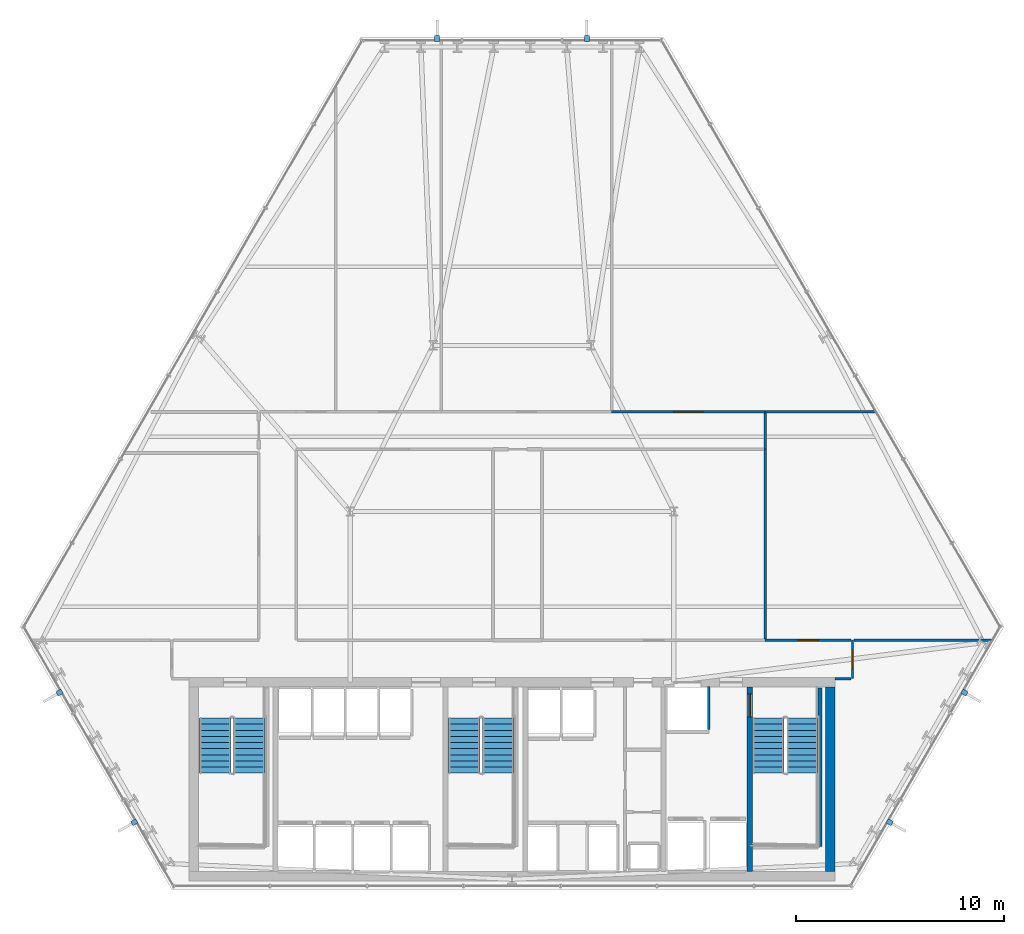
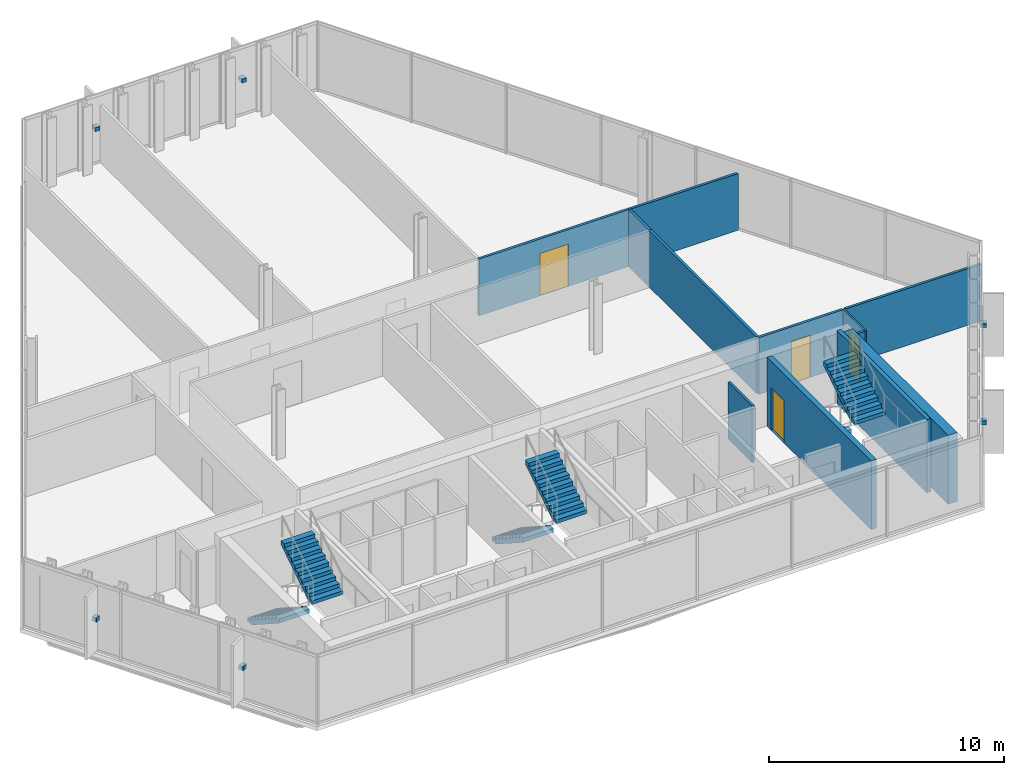
# One storey, part 29 of 33: 12 walls, 6 discrete accessories, 6 stair flights, 4 doors, 4 openings, 3 elements without a shape of their own.
"""IFC4 building model written with IfcOpenShell, lengths in metres."""

from ifc_helpers import new_model, si_unit, direction, frame, frame_2d, origin, origin_2d, place, context, subcontext, project, spatial, polyline, rectangle, outline, extrude, material, layer, layer_set, type_object, element, fill, aggregate, save


model = new_model("IFC4")

# Units and contexts
model_context = context("Model", 3, precision=1e-05, world=origin(), true_north=direction((0.0, 1.0)))
body_context = subcontext(model_context, "Body", "Model", "MODEL_VIEW")
ifc_project = project(units=[si_unit("LENGTHUNIT", "METRE"), si_unit("AREAUNIT", "SQUARE_METRE"), si_unit("VOLUMEUNIT", "CUBIC_METRE"), si_unit("PLANEANGLEUNIT", "RADIAN"), si_unit("MASSUNIT", "GRAM", prefix="KILO")], contexts=[model_context])

# Site, building, storey
site_placement = place(None, origin())
site = spatial("IfcSite", under=ifc_project, at=site_placement, CompositionType="ELEMENT")
building_placement = place(site_placement, origin())
building = spatial("IfcBuilding", under=site, at=building_placement, Name="Ndaravel Arena Tower", CompositionType="ELEMENT")
storey_placement = place(building_placement, frame((0.0, 0.0, 85.39990234375)))
storey = spatial("IfcBuildingStorey", under=building, at=storey_placement, Name="L19", CompositionType="ELEMENT", Elevation=85.39990234375)

# Wall, opening, door
ifc_material_1 = material(Name="Concrete C60/75", Category="concrete")
ifc_layer_1 = layer(ifc_material_1, 0.25)
ifc_layer_set_1 = layer_set([ifc_layer_1], Name="Concrete C60/75")
wall_type_1 = type_object("IfcWallType", Name="WALL-CORE-250", PredefinedType="SOLIDWALL", material=ifc_layer_set_1)
wall_1_placement = place(storey_placement, frame((53.449951171875, 5.85009765625, 0.0), z_axis=(0.0, 0.0, 1.0), x_axis=(0.0, 1.0, 0.0)))
wall_1 = element("IfcWall", 1, at=wall_1_placement, inside=storey, type_object=wall_type_1, Name="L19 Core Web Shear Wall 5", PredefinedType="SOLIDWALL", context=body_context, shape_type="SweptSolid", body=[
    extrude(rectangle(XDim=8.89990234375, YDim=0.25, at=frame_2d((4.449951171875, 0.0))), origin(), (0.0, 0.0, 1.0), 3.580078125),
])
opening_1_placement = place(wall_1_placement, frame((7.449951171875, 0.0, 0.0)))
opening_1 = element("IfcOpeningElement", 2, at=opening_1_placement, cuts=wall_1, Name="Opening FD-01", PredefinedType="OPENING", context=body_context, shape_type="SweptSolid", body=[
    extrude(rectangle(XDim=1.10009765625, YDim=2.199951171875, at=frame_2d((0.550048828125, 1.10009765625))), frame((0.0, 0.125, 0.0), z_axis=(0.0, -1.0, 0.0), x_axis=(1.0, 0.0, 0.0)), (0.0, 0.0, 1.0), 0.25),
])
ifc_material_2 = material(Name="Steel S355", Category="steel")
door_type_1 = type_object("IfcDoorType", Name="DT-01-STAIR-1100", OperationType="SINGLE_SWING_LEFT", PredefinedType="DOOR", material=ifc_material_2)
door_1_placement = place(opening_1_placement, origin())
door_1 = element("IfcDoor", 3, at=door_1_placement, inside=storey, type_object=door_type_1, Name="L19 Firefighting Lobby to ST-3 Door", OperationType="SINGLE_SWING_LEFT", OverallHeight=2.199951171875, OverallWidth=1.10009765625, PredefinedType="DOOR", context=body_context, shape_type="SweptSolid", body=[
    extrude(rectangle(XDim=1.10009765625, YDim=2.199951171875, at=frame_2d((0.550048828125, 1.10009765625))), frame((0.0, 0.02490234375, 0.0), z_axis=(0.0, -1.0, 0.0), x_axis=(1.0, 0.0, 0.0)), (0.0, 0.0, 1.0), 0.050048828125),
])
fill(opening_1, door_1)

# Wall
ifc_material_3 = material(Name="Concrete C60/75", Category="concrete")
ifc_layer_2 = layer(ifc_material_3, 0.449951171875)
ifc_layer_set_2 = layer_set([ifc_layer_2], Name="Concrete C60/75")
wall_type_2 = type_object("IfcWallType", Name="WALL-CORE-450", PredefinedType="SOLIDWALL", material=ifc_layer_set_2)
wall_2_placement = place(storey_placement, frame((57.324951171875, 5.85009765625, 0.0), z_axis=(0.0, 0.0, 1.0), x_axis=(0.0, 1.0, 0.0)))
element("IfcWall", 4, at=wall_2_placement, inside=storey, type_object=wall_type_2, Name="L19 Core East Shear Wall", PredefinedType="SOLIDWALL", context=body_context, shape_type="SweptSolid", body=[
    extrude(rectangle(XDim=8.89990234375, YDim=0.449951171875, at=frame_2d((4.449951171875, 0.0))), origin(), (0.0, 0.0, 1.0), 3.580078125),
])

# Wall, opening, door
ifc_material_4 = material(Name="Timber", Category="wood")
ifc_layer_3 = layer(ifc_material_4, 0.10009765625)
ifc_layer_set_3 = layer_set([ifc_layer_3], Name="Timber")
wall_type_3 = type_object("IfcWallType", Name="WALL-MOVABLE-100", PredefinedType="MOVABLE", material=ifc_layer_set_3)
wall_3_placement = place(storey_placement, frame((58.39990234375, 17.0, 0.0), z_axis=(0.0, 0.0, 1.0), x_axis=(0.0, -1.0, 0.0)))
wall_3 = element("IfcWall", 5, at=wall_3_placement, inside=storey, type_object=wall_type_3, Name="L19 Interior Partition 001", PredefinedType="MOVABLE", context=body_context, shape_type="SweptSolid", body=[
    extrude(rectangle(XDim=1.85009765625, YDim=0.10009765625, at=frame_2d((0.925048828125, 0.0))), origin(), (0.0, 0.0, 1.0), 2.9501953125),
])
opening_2_placement = place(wall_3_placement, frame((0.449951171875, 0.0, 0.0)))
opening_2 = element("IfcOpeningElement", 6, at=opening_2_placement, cuts=wall_3, Name="Opening ID-01", PredefinedType="OPENING", context=body_context, shape_type="SweptSolid", body=[
    extrude(rectangle(XDim=0.949951171875, YDim=2.199951171875, at=frame_2d((0.47509765625, 1.10009765625))), frame((0.0, 0.050048828125, 0.0), z_axis=(0.0, -1.0, 0.0), x_axis=(1.0, 0.0, 0.0)), (0.0, 0.0, 1.0), 0.10009765625),
])
ifc_material_5 = material(Name="Timber", Category="wood")
door_type_2 = type_object("IfcDoorType", Name="DT-03-OFFICE-950", OperationType="SINGLE_SWING_LEFT", PredefinedType="DOOR", material=ifc_material_5)
door_2_placement = place(opening_2_placement, origin())
door_2 = element("IfcDoor", 7, at=door_2_placement, inside=storey, type_object=door_type_2, Name="L19 Visitor Reception Desk Door", OperationType="SINGLE_SWING_LEFT", OverallHeight=2.199951171875, OverallWidth=0.949951171875, PredefinedType="DOOR", context=body_context, shape_type="SweptSolid", body=[
    extrude(rectangle(XDim=0.949951171875, YDim=2.199951171875, at=frame_2d((0.47509765625, 1.10009765625))), frame((0.0, 0.02490234375, 0.0), z_axis=(0.0, -1.0, 0.0), x_axis=(1.0, 0.0, 0.0)), (0.0, 0.0, 1.0), 0.050048828125),
])
fill(opening_2, door_2)

# Wall
ifc_material_6 = material(Name="Gypsum", Category="gypsum")
ifc_layer_4 = layer(ifc_material_6, 0.125)
ifc_layer_set_4 = layer_set([ifc_layer_4], Name="Gypsum")
wall_type_4 = type_object("IfcWallType", Name="WALL-PART-125", PredefinedType="PARTITIONING", material=ifc_layer_set_4)
wall_4_placement = place(storey_placement, frame((58.3349609375, 15.14990234375, 0.0), z_axis=(0.0, 0.0, 1.0), x_axis=(-1.0, 0.0, 0.0)))
element("IfcWall", 8, at=wall_4_placement, inside=storey, type_object=wall_type_4, Name="L19 Interior Partition 002", PredefinedType="PARTITIONING", context=body_context, shape_type="SweptSolid", body=[
    extrude(rectangle(XDim=0.784912109375, YDim=0.125, at=frame_2d((0.392578125, 0.0))), origin(), (0.0, 0.0, 1.0), 2.9501953125),
])

# Wall, opening, door
wall_5_placement = place(storey_placement, frame((46.800048828125, 28.0, 0.0), z_axis=(0.0, 0.0, 1.0), x_axis=(1.0, 0.0, 0.0)))
wall_5 = element("IfcWall", 9, at=wall_5_placement, inside=storey, type_object=wall_type_4, Name="L19 Interior Partition 012", PredefinedType="PARTITIONING", context=body_context, shape_type="SweptSolid", body=[
    extrude(rectangle(XDim=7.39990234375, YDim=0.125, at=frame_2d((3.699951171875, 0.0))), origin(), (0.0, 0.0, 1.0), 2.9501953125),
])
opening_3_placement = place(wall_5_placement, frame((3.0, 0.0, 0.0)))
opening_3 = element("IfcOpeningElement", 10, at=opening_3_placement, cuts=wall_5, Name="Opening ID-02", PredefinedType="OPENING", context=body_context, shape_type="SweptSolid", body=[
    extrude(rectangle(XDim=1.39990234375, YDim=2.199951171875, at=frame_2d((0.699951171875, 1.10009765625))), frame((0.0, 0.0625, 0.0), z_axis=(0.0, -1.0, 0.0), x_axis=(1.0, 0.0, 0.0)), (0.0, 0.0, 1.0), 0.125),
])
ifc_material_7 = material(Name="Timber", Category="wood")
door_type_3 = type_object("IfcDoorType", Name="DT-04-SUITE-1400", OperationType="DOUBLE_DOOR_SINGLE_SWING", PredefinedType="DOOR", material=ifc_material_7)
door_3_placement = place(opening_3_placement, origin())
door_3 = element("IfcDoor", 11, at=door_3_placement, inside=storey, type_object=door_type_3, Name="L19 Tenant Reception Suite 3 Door", OperationType="SINGLE_SWING_LEFT", OverallHeight=2.199951171875, OverallWidth=1.39990234375, PredefinedType="DOOR", context=body_context, shape_type="SweptSolid", body=[
    extrude(rectangle(XDim=1.39990234375, YDim=2.199951171875, at=frame_2d((0.699951171875, 1.10009765625))), frame((0.0, 0.02490234375, 0.0), z_axis=(0.0, -1.0, 0.0), x_axis=(1.0, 0.0, 0.0)), (0.0, 0.0, 1.0), 0.050048828125),
])
fill(opening_3, door_3)

# Wall
wall_6_placement = place(storey_placement, frame((54.199951171875, 27.93505859375, 0.0), z_axis=(0.0, 0.0, 1.0), x_axis=(0.0, -1.0, 0.0)))
element("IfcWall", 12, at=wall_6_placement, inside=storey, type_object=wall_type_4, Name="L19 Interior Partition 013", PredefinedType="PARTITIONING", context=body_context, shape_type="SweptSolid", body=[
    extrude(rectangle(XDim=1.735107421875, YDim=0.125, at=frame_2d((0.86767578125, 0.0))), origin(), (0.0, 0.0, 1.0), 2.9501953125),
])

# Wall, opening, door
wall_7_placement = place(storey_placement, frame((54.199951171875, 17.0, 0.0), z_axis=(0.0, 0.0, 1.0), x_axis=(1.0, 0.0, 0.0)))
wall_7 = element("IfcWall", 13, at=wall_7_placement, inside=storey, type_object=wall_type_4, Name="L19 Interior Partition 021", PredefinedType="PARTITIONING", context=body_context, shape_type="SweptSolid", body=[
    extrude(rectangle(XDim=4.135009765625, YDim=0.125, at=frame_2d((2.0673828125, 0.0))), origin(), (0.0, 0.0, 1.0), 2.9501953125),
])
opening_4_placement = place(wall_7_placement, frame((1.592529296875, 0.0, 0.0)))
opening_4 = element("IfcOpeningElement", 14, at=opening_4_placement, cuts=wall_7, Name="Opening ID-01", PredefinedType="OPENING", context=body_context, shape_type="SweptSolid", body=[
    extrude(rectangle(XDim=0.949951171875, YDim=2.199951171875, at=frame_2d((0.47509765625, 1.10009765625))), frame((0.0, 0.0625, 0.0), z_axis=(0.0, -1.0, 0.0), x_axis=(1.0, 0.0, 0.0)), (0.0, 0.0, 1.0), 0.125),
])
door_4_placement = place(opening_4_placement, origin())
door_4 = element("IfcDoor", 15, at=door_4_placement, inside=storey, type_object=door_type_2, Name="L19 Advisory Desk Office 3 Door", OperationType="SINGLE_SWING_RIGHT", OverallHeight=2.199951171875, OverallWidth=0.949951171875, PredefinedType="DOOR", context=body_context, shape_type="SweptSolid", body=[
    extrude(rectangle(XDim=0.949951171875, YDim=2.199951171875, at=frame_2d((0.47509765625, 1.10009765625))), frame((0.0, 0.02490234375, 0.0), z_axis=(0.0, -1.0, 0.0), x_axis=(1.0, 0.0, 0.0)), (0.0, 0.0, 1.0), 0.050048828125),
])
fill(opening_4, door_4)

# Walls
wall_8_placement = place(storey_placement, frame((58.465087890625, 17.0, 0.0), z_axis=(0.0, 0.0, 1.0), x_axis=(1.0, 0.0, 0.0)))
element("IfcWall", 16, at=wall_8_placement, inside=storey, type_object=wall_type_4, Name="L19 Interior Partition 024", PredefinedType="PARTITIONING", context=body_context, shape_type="SweptSolid", body=[
    extrude(rectangle(XDim=6.6796875, YDim=0.125, at=frame_2d((3.33984375, 0.0))), origin(), (0.0, 0.0, 1.0), 2.9501953125),
])
wall_9_placement = place(storey_placement, frame((54.199951171875, 26.199951171875, 0.0), z_axis=(0.0, 0.0, 1.0), x_axis=(0.0, -1.0, 0.0)))
element("IfcWall", 17, at=wall_9_placement, inside=storey, type_object=wall_type_4, Name="L19 Interior Partition 028", PredefinedType="PARTITIONING", context=body_context, shape_type="SweptSolid", body=[
    extrude(rectangle(XDim=9.135009765625, YDim=0.125, at=frame_2d((4.5673828125, 0.0))), origin(), (0.0, 0.0, 1.0), 2.9501953125),
])
wall_10_placement = place(storey_placement, frame((54.199951171875, 28.0, 0.0), z_axis=(0.0, 0.0, 1.0), x_axis=(1.0, 0.0, 0.0)))
element("IfcWall", 18, at=wall_10_placement, inside=storey, type_object=wall_type_4, Name="L19 Interior Partition 029", PredefinedType="PARTITIONING", context=body_context, shape_type="SweptSolid", body=[
    extrude(rectangle(XDim=5.342041015625, YDim=0.125, at=frame_2d((2.6708984375, 0.0))), origin(), (0.0, 0.0, 1.0), 2.9501953125),
])
ifc_material_8 = material(Name="Concrete C40/50", Category="concrete")
ifc_layer_5 = layer(ifc_material_8, 0.1201171875)
ifc_layer_set_5 = layer_set([ifc_layer_5], Name="Concrete C40/50")
wall_type_5 = type_object("IfcWallType", Name="WALL-SHAFT-120", PredefinedType="SOLIDWALL", material=ifc_layer_set_5)
wall_11_placement = place(storey_placement, frame((51.47998046875, 12.68994140625, 0.0), z_axis=(0.0, 0.0, 1.0), x_axis=(0.0, 1.0, 0.0)))
element("IfcWall", 19, at=wall_11_placement, inside=storey, type_object=wall_type_5, Name="L19 SVL-1 Shaft E Wall", PredefinedType="SOLIDWALL", context=body_context, shape_type="SweptSolid", body=[
    extrude(rectangle(XDim=2.070068359375, YDim=0.1201171875, at=frame_2d((1.03515625, 0.0))), origin(), (0.0, 0.0, 1.0), 2.9501953125),
])
ifc_material_9 = material(Name="Concrete C40/50", Category="concrete")
ifc_layer_6 = layer(ifc_material_9, 0.199951171875)
ifc_layer_set_6 = layer_set([ifc_layer_6], Name="Concrete C40/50")
wall_type_6 = type_object("IfcWallType", Name="WALL-SHAFT-200", PredefinedType="SOLIDWALL", material=ifc_layer_set_6)
wall_12_placement = place(storey_placement, frame((56.840087890625, 14.699951171875, 0.0), z_axis=(0.0, 0.0, 1.0), x_axis=(0.0, -1.0, 0.0)))
element("IfcWall", 20, at=wall_12_placement, inside=storey, type_object=wall_type_6, Name="L19 ST-3 Structural Shaft Wall Right", PredefinedType="SOLIDWALL", context=body_context, shape_type="SweptSolid", body=[
    extrude(rectangle(XDim=7.64990234375, YDim=0.199951171875, at=frame_2d((3.824951171875, 0.0))), origin(), (0.0, 0.0, 1.0), 3.800048828125),
])

# Stair, stair flights
ifc_material_10 = material(Name="Concrete C40/50", Category="concrete")
stair_type = type_object("IfcStairType", Name="STAIR-CORE-HT", PredefinedType="HALF_TURN_STAIR", material=ifc_material_10)
stair_1_placement = place(storey_placement, origin())
stair_1 = element("IfcStair", 21, at=stair_1_placement, inside=storey, type_object=stair_type, Name="L19 ST-1", PredefinedType="HALF_TURN_STAIR")
ifc_material_11 = material(Name="Concrete C40/50", Category="concrete")
stair_flight_type = type_object("IfcStairFlightType", Name="SFLIGHT-CORE-1680", PredefinedType="STRAIGHT", material=ifc_material_11)
stair_flight_1_placement = place(storey_placement, frame((27.699951171875, 13.25, 0.0), z_axis=(0.0, 0.0, 1.0), x_axis=(0.0, -1.0, 0.0)))
stair_flight_1 = element("IfcStairFlight", 22, at=stair_flight_1_placement, type_object=stair_flight_type, Name="ST-1 flight 1", NumberOfRisers=10, NumberOfTreads=9, PredefinedType="STRAIGHT", RiserHeight=0.19, TreadLength=0.295, context=body_context, shape_type="SweptSolid", body=[
    extrude(outline(polyline([(0.0, 0.0), (0.0, 0.18994140625), (0.294921875, 0.18994140625), (0.294921875, 0.3798828125), (0.590087890625, 0.3798828125), (0.590087890625, 0.570068359375), (0.885009765625, 0.570068359375), (0.885009765625, 0.760009765625), (1.179931640625, 0.760009765625), (1.179931640625, 0.949951171875), (1.47509765625, 0.949951171875), (1.47509765625, 1.139892578125), (1.77001953125, 1.139892578125), (1.77001953125, 1.330078125), (2.06494140625, 1.330078125), (2.06494140625, 1.52001953125), (2.360107421875, 1.52001953125), (2.360107421875, 1.7099609375), (2.655029296875, 1.7099609375), (2.655029296875, 1.89990234375), (2.655029296875, 1.49609375), (0.332275390625, 0.0), (0.0, 0.0)])), frame((0.0, 0.75, 0.0), z_axis=(0.0, -1.0, 0.0), x_axis=(1.0, 0.0, 0.0)), (0.0, 0.0, 1.0), 1.5),
])
stair_flight_2_placement = place(storey_placement, frame((29.340087890625, 10.594970703125, 1.900146484375), z_axis=(0.0, 0.0, 1.0), x_axis=(0.0, 1.0, 0.0)))
stair_flight_2 = element("IfcStairFlight", 23, at=stair_flight_2_placement, type_object=stair_flight_type, Name="ST-1 flight 2", NumberOfRisers=10, NumberOfTreads=9, PredefinedType="STRAIGHT", RiserHeight=0.19, TreadLength=0.295, context=body_context, shape_type="SweptSolid", body=[
    extrude(outline(polyline([(0.0, 0.0), (0.0, 0.18994140625), (0.294921875, 0.18994140625), (0.294921875, 0.3798828125), (0.590087890625, 0.3798828125), (0.590087890625, 0.570068359375), (0.885009765625, 0.570068359375), (0.885009765625, 0.760009765625), (1.179931640625, 0.760009765625), (1.179931640625, 0.949951171875), (1.47509765625, 0.949951171875), (1.47509765625, 1.139892578125), (1.77001953125, 1.139892578125), (1.77001953125, 1.330078125), (2.06494140625, 1.330078125), (2.06494140625, 1.52001953125), (2.360107421875, 1.52001953125), (2.360107421875, 1.7099609375), (2.655029296875, 1.7099609375), (2.655029296875, 1.89990234375), (2.655029296875, 1.49609375), (0.332275390625, 0.0), (0.0, 0.0)])), frame((0.0, 0.75, 0.0), z_axis=(0.0, -1.0, 0.0), x_axis=(1.0, 0.0, 0.0)), (0.0, 0.0, 1.0), 1.5),
])
aggregate(stair_1, [stair_flight_1, stair_flight_2])

stair_2_placement = place(storey_placement, origin())
stair_2 = element("IfcStair", 24, at=stair_2_placement, inside=storey, type_object=stair_type, Name="L19 ST-2", PredefinedType="HALF_TURN_STAIR")
stair_flight_3_placement = place(storey_placement, frame((39.699951171875, 13.25, 0.0), z_axis=(0.0, 0.0, 1.0), x_axis=(0.0, -1.0, 0.0)))
stair_flight_3 = element("IfcStairFlight", 25, at=stair_flight_3_placement, type_object=stair_flight_type, Name="ST-2 flight 1", NumberOfRisers=10, NumberOfTreads=9, PredefinedType="STRAIGHT", RiserHeight=0.19, TreadLength=0.295, context=body_context, shape_type="SweptSolid", body=[
    extrude(outline(polyline([(0.0, 0.0), (0.0, 0.18994140625), (0.294921875, 0.18994140625), (0.294921875, 0.3798828125), (0.590087890625, 0.3798828125), (0.590087890625, 0.570068359375), (0.885009765625, 0.570068359375), (0.885009765625, 0.760009765625), (1.179931640625, 0.760009765625), (1.179931640625, 0.949951171875), (1.47509765625, 0.949951171875), (1.47509765625, 1.139892578125), (1.77001953125, 1.139892578125), (1.77001953125, 1.330078125), (2.06494140625, 1.330078125), (2.06494140625, 1.52001953125), (2.360107421875, 1.52001953125), (2.360107421875, 1.7099609375), (2.655029296875, 1.7099609375), (2.655029296875, 1.89990234375), (2.655029296875, 1.49609375), (0.332275390625, 0.0), (0.0, 0.0)])), frame((0.0, 0.75, 0.0), z_axis=(0.0, -1.0, 0.0), x_axis=(1.0, 0.0, 0.0)), (0.0, 0.0, 1.0), 1.5),
])
stair_flight_4_placement = place(storey_placement, frame((41.340087890625, 10.594970703125, 1.900146484375), z_axis=(0.0, 0.0, 1.0), x_axis=(0.0, 1.0, 0.0)))
stair_flight_4 = element("IfcStairFlight", 26, at=stair_flight_4_placement, type_object=stair_flight_type, Name="ST-2 flight 2", NumberOfRisers=10, NumberOfTreads=9, PredefinedType="STRAIGHT", RiserHeight=0.19, TreadLength=0.295, context=body_context, shape_type="SweptSolid", body=[
    extrude(outline(polyline([(0.0, 0.0), (0.0, 0.18994140625), (0.294921875, 0.18994140625), (0.294921875, 0.3798828125), (0.590087890625, 0.3798828125), (0.590087890625, 0.570068359375), (0.885009765625, 0.570068359375), (0.885009765625, 0.760009765625), (1.179931640625, 0.760009765625), (1.179931640625, 0.949951171875), (1.47509765625, 0.949951171875), (1.47509765625, 1.139892578125), (1.77001953125, 1.139892578125), (1.77001953125, 1.330078125), (2.06494140625, 1.330078125), (2.06494140625, 1.52001953125), (2.360107421875, 1.52001953125), (2.360107421875, 1.7099609375), (2.655029296875, 1.7099609375), (2.655029296875, 1.89990234375), (2.655029296875, 1.49609375), (0.332275390625, 0.0), (0.0, 0.0)])), frame((0.0, 0.75, 0.0), z_axis=(0.0, -1.0, 0.0), x_axis=(1.0, 0.0, 0.0)), (0.0, 0.0, 1.0), 1.5),
])
aggregate(stair_2, [stair_flight_3, stair_flight_4])

stair_3_placement = place(storey_placement, origin())
stair_3 = element("IfcStair", 27, at=stair_3_placement, inside=storey, type_object=stair_type, Name="L19 ST-3", PredefinedType="HALF_TURN_STAIR")
stair_flight_5_placement = place(storey_placement, frame((54.35009765625, 13.25, 0.0), z_axis=(0.0, 0.0, 1.0), x_axis=(0.0, -1.0, 0.0)))
stair_flight_5 = element("IfcStairFlight", 28, at=stair_flight_5_placement, type_object=stair_flight_type, Name="ST-3 flight 1", NumberOfRisers=10, NumberOfTreads=9, PredefinedType="STRAIGHT", RiserHeight=0.19, TreadLength=0.295, context=body_context, shape_type="SweptSolid", body=[
    extrude(outline(polyline([(0.0, 0.0), (0.0, 0.18994140625), (0.294921875, 0.18994140625), (0.294921875, 0.3798828125), (0.590087890625, 0.3798828125), (0.590087890625, 0.570068359375), (0.885009765625, 0.570068359375), (0.885009765625, 0.760009765625), (1.179931640625, 0.760009765625), (1.179931640625, 0.949951171875), (1.47509765625, 0.949951171875), (1.47509765625, 1.139892578125), (1.77001953125, 1.139892578125), (1.77001953125, 1.330078125), (2.06494140625, 1.330078125), (2.06494140625, 1.52001953125), (2.360107421875, 1.52001953125), (2.360107421875, 1.7099609375), (2.655029296875, 1.7099609375), (2.655029296875, 1.89990234375), (2.655029296875, 1.49609375), (0.332275390625, 0.0), (0.0, 0.0)])), frame((0.0, 0.75, 0.0), z_axis=(0.0, -1.0, 0.0), x_axis=(1.0, 0.0, 0.0)), (0.0, 0.0, 1.0), 1.5),
])
stair_flight_6_placement = place(storey_placement, frame((55.989990234375, 10.594970703125, 1.900146484375), z_axis=(0.0, 0.0, 1.0), x_axis=(0.0, 1.0, 0.0)))
stair_flight_6 = element("IfcStairFlight", 29, at=stair_flight_6_placement, type_object=stair_flight_type, Name="ST-3 flight 2", NumberOfRisers=10, NumberOfTreads=9, PredefinedType="STRAIGHT", RiserHeight=0.19, TreadLength=0.295, context=body_context, shape_type="SweptSolid", body=[
    extrude(outline(polyline([(0.0, 0.0), (0.0, 0.18994140625), (0.294921875, 0.18994140625), (0.294921875, 0.3798828125), (0.590087890625, 0.3798828125), (0.590087890625, 0.570068359375), (0.885009765625, 0.570068359375), (0.885009765625, 0.760009765625), (1.179931640625, 0.760009765625), (1.179931640625, 0.949951171875), (1.47509765625, 0.949951171875), (1.47509765625, 1.139892578125), (1.77001953125, 1.139892578125), (1.77001953125, 1.330078125), (2.06494140625, 1.330078125), (2.06494140625, 1.52001953125), (2.360107421875, 1.52001953125), (2.360107421875, 1.7099609375), (2.655029296875, 1.7099609375), (2.655029296875, 1.89990234375), (2.655029296875, 1.49609375), (0.332275390625, 0.0), (0.0, 0.0)])), frame((0.0, 0.75, 0.0), z_axis=(0.0, -1.0, 0.0), x_axis=(1.0, 0.0, 0.0)), (0.0, 0.0, 1.0), 1.5),
])
aggregate(stair_3, [stair_flight_5, stair_flight_6])

# Discrete accessories
ifc_material_12 = material(Name="Steel S355", Category="steel")
discrete_accessory_type = type_object("IfcDiscreteAccessoryType", Name="ACC-BRACKET-FIN", PredefinedType="BRACKET", material=ifc_material_12)
for number, where, z_axis, x_axis, name in (
    (30, (60.197998046875, 8.23193359375, 1.68994140625), (0.0, 0.0, 1.0), (0.866025403784, -0.5, 0.0), "L19 Mazeras Stone Solar Fin E2.1 Bracket"),
    (31, (63.802978515625, 14.475830078125, 1.68994140625), (0.0, 0.0, 1.0), (0.866025403784, -0.5, 0.0), "L19 Mazeras Stone Solar Fin E2.2 Bracket"),
    (32, (45.60498046875, 45.995849609375, 1.68994140625), (0.0, 0.0, 1.0), (0.0, 1.0, 0.0), "L19 Mazeras Stone Solar Fin E4.1 Bracket"),
    (33, (38.39501953125, 45.995849609375, 1.68994140625), (0.0, 0.0, 1.0), (0.0, 1.0, 0.0), "L19 Mazeras Stone Solar Fin E4.2 Bracket"),
    (34, (20.197021484375, 14.475830078125, 1.68994140625), (0.0, 0.0, 1.0), (-0.866025403784, -0.5, 0.0), "L19 Mazeras Stone Solar Fin E6.1 Bracket"),
    (35, (23.802001953125, 8.23193359375, 1.68994140625), (0.0, 0.0, 1.0), (-0.866025403784, -0.5, 0.0), "L19 Mazeras Stone Solar Fin E6.2 Bracket"),
):
    element("IfcDiscreteAccessory", number, at=place(storey_placement, frame(where, z_axis=z_axis, x_axis=x_axis)), inside=storey, type_object=discrete_accessory_type, Name=name, PredefinedType="BRACKET", context=body_context, shape_type="SweptSolid", body=[
        extrude(rectangle(XDim=0.280029296875, YDim=0.239990234375, at=origin_2d()), origin(), (0.0, 0.0, 1.0), 0.199951171875),
    ])

save(model, "model.ifc")
